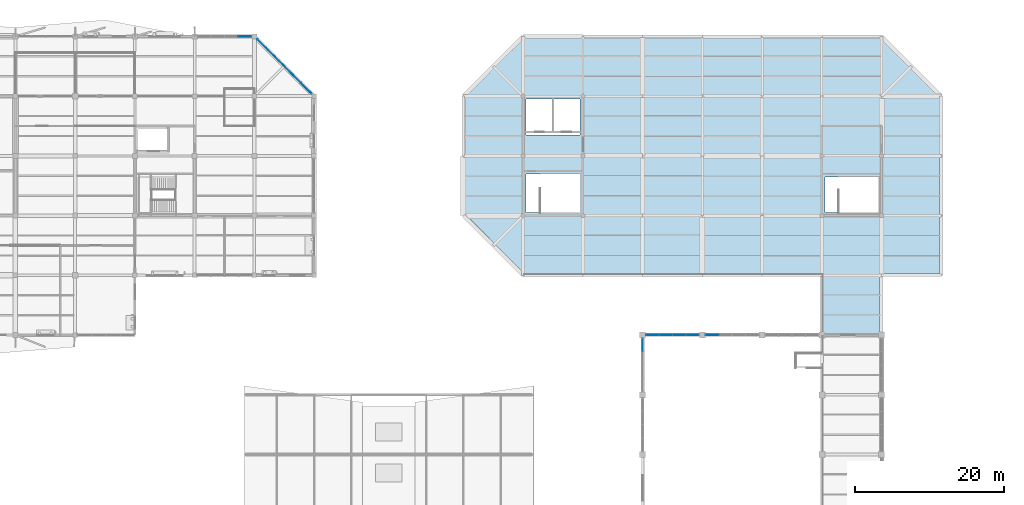
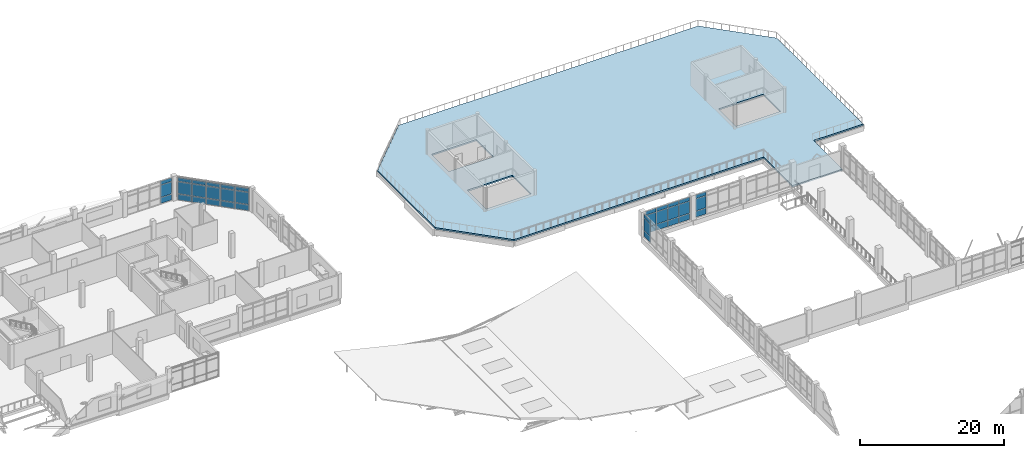
# One storey, part 66 of 84: 36 plates, 1 slab, 5 elements without a shape of their own.
"""IFC4 building model written with IfcOpenShell, lengths in metres."""

from ifc_helpers import new_model, si_unit, direction, frame, origin, origin_2d, place, context, subcontext, project, spatial, polyline, rectangle, outline, extrude, material, layer, layer_set, type_object, element, aggregate, save


model = new_model("IFC4")

# Units and contexts
model_context = context("Model", 3, precision=1e-05, world=origin(), true_north=direction((0.0, 1.0)))
body_context = subcontext(model_context, "Body", "Model", "MODEL_VIEW")
ifc_project = project(units=[si_unit("LENGTHUNIT", "METRE"), si_unit("AREAUNIT", "SQUARE_METRE"), si_unit("VOLUMEUNIT", "CUBIC_METRE"), si_unit("PLANEANGLEUNIT", "RADIAN"), si_unit("MASSUNIT", "GRAM", prefix="KILO")], contexts=[model_context])

# Site, building, storey
site_placement = place(None, origin())
site = spatial("IfcSite", under=ifc_project, at=site_placement, CompositionType="ELEMENT")
building_placement = place(site_placement, origin())
building = spatial("IfcBuilding", under=site, at=building_placement, Name="Tenunan Teduh Sports Hall", CompositionType="ELEMENT")
storey_placement = place(building_placement, frame((0.0, 0.0, 10.800048828125)))
storey = spatial("IfcBuildingStorey", under=building, at=storey_placement, Name="L02", CompositionType="ELEMENT", Elevation=10.800048828125)

# Curtain wall, plates
ifc_material_1 = material(Name="Anodised aluminium", Category="aluminium")
curtain_wall_type = type_object("IfcCurtainWallType", Name="CW-UNIT-2", PredefinedType="NOTDEFINED", material=ifc_material_1)
curtain_wall_1_placement = place(storey_placement, origin())
curtain_wall_1 = element("IfcCurtainWall", 1, at=curtain_wall_1_placement, inside=storey, type_object=curtain_wall_type, Name="CW-CWM-200-L02-128", PredefinedType="NOTDEFINED")
ifc_material_2 = material(Name="Low-E laminated double glazing", Category="glass")
ifc_layer_1 = layer(ifc_material_2, 0.028076171875)
ifc_layer_set_1 = layer_set([ifc_layer_1], Name="Low-E laminated double glazing")
plate_type_1 = type_object("IfcPlateType", Name="CWP-GLZ-28", PredefinedType="CURTAIN_PANEL", material=ifc_layer_set_1)
plate_1_placement = place(storey_placement, frame((123.3173828125, 78.0, 1.134765625), z_axis=(0.0, 0.0, 1.0), x_axis=(1.0, 0.0, 0.0)))
plate_1 = element("IfcPlate", 2, at=plate_1_placement, type_object=plate_type_1, Name="CW-02 panel 1.2", PredefinedType="CURTAIN_PANEL", context=body_context, shape_type="SweptSolid", body=[
    extrude(rectangle(XDim=1.695068359375, YDim=0.028076171875, at=origin_2d()), origin(), (0.0, 0.0, 1.0), 2.030029296875),
])
plate_2_placement = place(storey_placement, frame((123.3173828125, 78.0, 3.23486328125), z_axis=(0.0, 0.0, 1.0), x_axis=(1.0, 0.0, 0.0)))
plate_2 = element("IfcPlate", 3, at=plate_2_placement, type_object=plate_type_1, Name="CW-02 panel 1.3", PredefinedType="CURTAIN_PANEL", context=body_context, shape_type="SweptSolid", body=[
    extrude(rectangle(XDim=1.695068359375, YDim=0.028076171875, at=origin_2d()), origin(), (0.0, 0.0, 1.0), 0.614990234375),
])
plate_3_placement = place(storey_placement, frame((125.10009765625, 78.0, 1.134765625), z_axis=(0.0, 0.0, 1.0), x_axis=(1.0, 0.0, 0.0)))
plate_3 = element("IfcPlate", 4, at=plate_3_placement, type_object=plate_type_1, Name="CW-02 panel 2.2", PredefinedType="CURTAIN_PANEL", context=body_context, shape_type="SweptSolid", body=[
    extrude(rectangle(XDim=1.72998046875, YDim=0.028076171875, at=origin_2d()), origin(), (0.0, 0.0, 1.0), 2.030029296875),
])
plate_4_placement = place(storey_placement, frame((125.10009765625, 78.0, 3.23486328125), z_axis=(0.0, 0.0, 1.0), x_axis=(1.0, 0.0, 0.0)))
plate_4 = element("IfcPlate", 5, at=plate_4_placement, type_object=plate_type_1, Name="CW-02 panel 2.3", PredefinedType="CURTAIN_PANEL", context=body_context, shape_type="SweptSolid", body=[
    extrude(rectangle(XDim=1.72998046875, YDim=0.028076171875, at=origin_2d()), origin(), (0.0, 0.0, 1.0), 0.614990234375),
])
plate_5_placement = place(storey_placement, frame((126.89990234375, 78.0, 1.134765625), z_axis=(0.0, 0.0, 1.0), x_axis=(1.0, 0.0, 0.0)))
plate_5 = element("IfcPlate", 6, at=plate_5_placement, type_object=plate_type_1, Name="CW-02 panel 3.2", PredefinedType="CURTAIN_PANEL", context=body_context, shape_type="SweptSolid", body=[
    extrude(rectangle(XDim=1.72998046875, YDim=0.028076171875, at=origin_2d()), origin(), (0.0, 0.0, 1.0), 2.030029296875),
])
plate_6_placement = place(storey_placement, frame((126.89990234375, 78.0, 3.23486328125), z_axis=(0.0, 0.0, 1.0), x_axis=(1.0, 0.0, 0.0)))
plate_6 = element("IfcPlate", 7, at=plate_6_placement, type_object=plate_type_1, Name="CW-02 panel 3.3", PredefinedType="CURTAIN_PANEL", context=body_context, shape_type="SweptSolid", body=[
    extrude(rectangle(XDim=1.72998046875, YDim=0.028076171875, at=origin_2d()), origin(), (0.0, 0.0, 1.0), 0.614990234375),
])
plate_7_placement = place(storey_placement, frame((128.6826171875, 78.0, 1.134765625), z_axis=(0.0, 0.0, 1.0), x_axis=(1.0, 0.0, 0.0)))
plate_7 = element("IfcPlate", 8, at=plate_7_placement, type_object=plate_type_1, Name="CW-02 panel 4.2", PredefinedType="CURTAIN_PANEL", context=body_context, shape_type="SweptSolid", body=[
    extrude(rectangle(XDim=1.695068359375, YDim=0.028076171875, at=origin_2d()), origin(), (0.0, 0.0, 1.0), 2.030029296875),
])
plate_8_placement = place(storey_placement, frame((128.6826171875, 78.0, 3.23486328125), z_axis=(0.0, 0.0, 1.0), x_axis=(1.0, 0.0, 0.0)))
plate_8 = element("IfcPlate", 9, at=plate_8_placement, type_object=plate_type_1, Name="CW-02 panel 4.3", PredefinedType="CURTAIN_PANEL", context=body_context, shape_type="SweptSolid", body=[
    extrude(rectangle(XDim=1.695068359375, YDim=0.028076171875, at=origin_2d()), origin(), (0.0, 0.0, 1.0), 0.614990234375),
])

curtain_wall_2_placement = place(storey_placement, origin())
curtain_wall_2 = element("IfcCurtainWall", 10, at=curtain_wall_2_placement, inside=storey, type_object=curtain_wall_type, Name="CW-CWM-200-L02-136", PredefinedType="NOTDEFINED")
plate_9_placement = place(storey_placement, frame((122.0, 76.6826171875, 1.134765625), z_axis=(0.0, 0.0, 1.0), x_axis=(0.0, 1.0, 0.0)))
plate_9 = element("IfcPlate", 11, at=plate_9_placement, type_object=plate_type_1, Name="CW-02 panel 4.2", PredefinedType="CURTAIN_PANEL", context=body_context, shape_type="SweptSolid", body=[
    extrude(rectangle(XDim=1.695068359375, YDim=0.028076171875, at=origin_2d()), origin(), (0.0, 0.0, 1.0), 2.030029296875),
])
plate_10_placement = place(storey_placement, frame((122.0, 76.6826171875, 3.23486328125), z_axis=(0.0, 0.0, 1.0), x_axis=(0.0, 1.0, 0.0)))
plate_10 = element("IfcPlate", 12, at=plate_10_placement, type_object=plate_type_1, Name="CW-02 panel 4.3", PredefinedType="CURTAIN_PANEL", context=body_context, shape_type="SweptSolid", body=[
    extrude(rectangle(XDim=1.695068359375, YDim=0.028076171875, at=origin_2d()), origin(), (0.0, 0.0, 1.0), 0.614990234375),
])

curtain_wall_3_placement = place(storey_placement, origin())
curtain_wall_3 = element("IfcCurtainWall", 13, at=curtain_wall_3_placement, inside=storey, type_object=curtain_wall_type, Name="CW-CWM-175-L02-214", PredefinedType="NOTDEFINED")
plate_11_placement = place(storey_placement, frame((76.941650390625, 111.058349609375, 1.13232421875), z_axis=(0.0, 0.0, 1.0), x_axis=(-0.707106781187, 0.707106781187, 0.0)))
plate_11 = element("IfcPlate", 14, at=plate_11_placement, type_object=plate_type_1, Name="CW-02 panel 1.2", PredefinedType="CURTAIN_PANEL", context=body_context, shape_type="SweptSolid", body=[
    extrude(rectangle(XDim=1.97216796875, YDim=0.028076171875, at=origin_2d()), origin(), (0.0, 0.0, 1.0), 2.034912109375),
])
plate_12_placement = place(storey_placement, frame((76.941650390625, 111.058349609375, 3.232421875), z_axis=(0.0, 0.0, 1.0), x_axis=(-0.707106781187, 0.707106781187, 0.0)))
plate_12 = element("IfcPlate", 15, at=plate_12_placement, type_object=plate_type_1, Name="CW-02 panel 1.3", PredefinedType="CURTAIN_PANEL", context=body_context, shape_type="SweptSolid", body=[
    extrude(rectangle(XDim=1.97216796875, YDim=0.028076171875, at=origin_2d()), origin(), (0.0, 0.0, 1.0), 0.62255859375),
])
plate_13_placement = place(storey_placement, frame((75.48974609375, 112.51025390625, 1.13232421875), z_axis=(0.0, 0.0, 1.0), x_axis=(-0.707106781187, 0.707106781187, 0.0)))
plate_13 = element("IfcPlate", 16, at=plate_13_placement, type_object=plate_type_1, Name="CW-02 panel 2.2", PredefinedType="CURTAIN_PANEL", context=body_context, shape_type="SweptSolid", body=[
    extrude(rectangle(XDim=2.004638671875, YDim=0.028076171875, at=origin_2d()), origin(), (0.0, 0.0, 1.0), 2.034912109375),
])
plate_14_placement = place(storey_placement, frame((75.48974609375, 112.51025390625, 3.232421875), z_axis=(0.0, 0.0, 1.0), x_axis=(-0.707106781187, 0.707106781187, 0.0)))
plate_14 = element("IfcPlate", 17, at=plate_14_placement, type_object=plate_type_1, Name="CW-02 panel 2.3", PredefinedType="CURTAIN_PANEL", context=body_context, shape_type="SweptSolid", body=[
    extrude(rectangle(XDim=2.004638671875, YDim=0.028076171875, at=origin_2d()), origin(), (0.0, 0.0, 1.0), 0.62255859375),
])
plate_15_placement = place(storey_placement, frame((74.0263671875, 113.9736328125, 1.13232421875), z_axis=(0.0, 0.0, 1.0), x_axis=(-0.707106781187, 0.707106781187, 0.0)))
plate_15 = element("IfcPlate", 18, at=plate_15_placement, type_object=plate_type_1, Name="CW-02 panel 3.2", PredefinedType="CURTAIN_PANEL", context=body_context, shape_type="SweptSolid", body=[
    extrude(rectangle(XDim=2.004638671875, YDim=0.028076171875, at=origin_2d()), origin(), (0.0, 0.0, 1.0), 2.034912109375),
])
plate_16_placement = place(storey_placement, frame((74.0263671875, 113.9736328125, 3.232421875), z_axis=(0.0, 0.0, 1.0), x_axis=(-0.707106781187, 0.707106781187, 0.0)))
plate_16 = element("IfcPlate", 19, at=plate_16_placement, type_object=plate_type_1, Name="CW-02 panel 3.3", PredefinedType="CURTAIN_PANEL", context=body_context, shape_type="SweptSolid", body=[
    extrude(rectangle(XDim=2.004638671875, YDim=0.028076171875, at=origin_2d()), origin(), (0.0, 0.0, 1.0), 0.62255859375),
])
plate_17_placement = place(storey_placement, frame((72.562744140625, 115.437255859375, 1.13232421875), z_axis=(0.0, 0.0, 1.0), x_axis=(-0.707106781187, 0.707106781187, 0.0)))
plate_17 = element("IfcPlate", 20, at=plate_17_placement, type_object=plate_type_1, Name="CW-02 panel 4.2", PredefinedType="CURTAIN_PANEL", context=body_context, shape_type="SweptSolid", body=[
    extrude(rectangle(XDim=2.004638671875, YDim=0.028076171875, at=origin_2d()), origin(), (0.0, 0.0, 1.0), 2.034912109375),
])
plate_18_placement = place(storey_placement, frame((72.562744140625, 115.437255859375, 3.232421875), z_axis=(0.0, 0.0, 1.0), x_axis=(-0.707106781187, 0.707106781187, 0.0)))
plate_18 = element("IfcPlate", 21, at=plate_18_placement, type_object=plate_type_1, Name="CW-02 panel 4.3", PredefinedType="CURTAIN_PANEL", context=body_context, shape_type="SweptSolid", body=[
    extrude(rectangle(XDim=2.004638671875, YDim=0.028076171875, at=origin_2d()), origin(), (0.0, 0.0, 1.0), 0.62255859375),
])
plate_19_placement = place(storey_placement, frame((71.11083984375, 116.88916015625, 1.13232421875), z_axis=(0.0, 0.0, 1.0), x_axis=(-0.707106781187, 0.707106781187, 0.0)))
plate_19 = element("IfcPlate", 22, at=plate_19_placement, type_object=plate_type_1, Name="CW-02 panel 5.2", PredefinedType="CURTAIN_PANEL", context=body_context, shape_type="SweptSolid", body=[
    extrude(rectangle(XDim=1.97216796875, YDim=0.028076171875, at=origin_2d()), origin(), (0.0, 0.0, 1.0), 2.034912109375),
])
plate_20_placement = place(storey_placement, frame((71.11083984375, 116.88916015625, 3.232421875), z_axis=(0.0, 0.0, 1.0), x_axis=(-0.707106781187, 0.707106781187, 0.0)))
plate_20 = element("IfcPlate", 23, at=plate_20_placement, type_object=plate_type_1, Name="CW-02 panel 5.3", PredefinedType="CURTAIN_PANEL", context=body_context, shape_type="SweptSolid", body=[
    extrude(rectangle(XDim=1.97216796875, YDim=0.028076171875, at=origin_2d()), origin(), (0.0, 0.0, 1.0), 0.62255859375),
])

curtain_wall_4_placement = place(storey_placement, origin())
curtain_wall_4 = element("IfcCurtainWall", 24, at=curtain_wall_4_placement, inside=storey, type_object=curtain_wall_type, Name="CW-CWM-220-L02-129", PredefinedType="NOTDEFINED")
ifc_material_3 = material(Name="Solar-control laminated glazing", Category="glass")
ifc_layer_2 = layer(ifc_material_3, 0.031982421875)
ifc_layer_set_2 = layer_set([ifc_layer_2], Name="Solar-control laminated glazing")
plate_type_2 = type_object("IfcPlateType", Name="CWP-GLZ-32", PredefinedType="CURTAIN_PANEL", material=ifc_layer_set_2)
plate_21_placement = place(storey_placement, frame((131.31884765625, 78.0, 1.137451171875), z_axis=(0.0, 0.0, 1.0), x_axis=(1.0, 0.0, 0.0)))
plate_21 = element("IfcPlate", 25, at=plate_21_placement, type_object=plate_type_2, Name="CW-02 panel 1.2", PredefinedType="CURTAIN_PANEL", context=body_context, shape_type="SweptSolid", body=[
    extrude(rectangle(XDim=1.6875, YDim=0.031982421875, at=origin_2d()), origin(), (0.0, 0.0, 1.0), 2.02490234375),
])
plate_22_placement = place(storey_placement, frame((131.31884765625, 78.0, 3.237548828125), z_axis=(0.0, 0.0, 1.0), x_axis=(1.0, 0.0, 0.0)))
plate_22 = element("IfcPlate", 26, at=plate_22_placement, type_object=plate_type_2, Name="CW-02 panel 1.3", PredefinedType="CURTAIN_PANEL", context=body_context, shape_type="SweptSolid", body=[
    extrude(rectangle(XDim=1.6875, YDim=0.031982421875, at=origin_2d()), origin(), (0.0, 0.0, 1.0), 0.607421875),
])

curtain_wall_5_placement = place(storey_placement, origin())
curtain_wall_5 = element("IfcCurtainWall", 27, at=curtain_wall_5_placement, inside=storey, type_object=curtain_wall_type, Name="CW-CWM-220-L02-217", PredefinedType="NOTDEFINED")
plate_23_placement = place(storey_placement, frame((68.71875, 118.0, 1.137451171875), z_axis=(0.0, 0.0, 1.0), x_axis=(1.0, 0.0, 0.0)))
plate_23 = element("IfcPlate", 28, at=plate_23_placement, type_object=plate_type_2, Name="CW-02 panel 4.2", PredefinedType="CURTAIN_PANEL", context=body_context, shape_type="SweptSolid", body=[
    extrude(rectangle(XDim=1.71240234375, YDim=0.031982421875, at=origin_2d()), origin(), (0.0, 0.0, 1.0), 2.02490234375),
])
plate_24_placement = place(storey_placement, frame((68.71875, 118.0, 3.237548828125), z_axis=(0.0, 0.0, 1.0), x_axis=(1.0, 0.0, 0.0)))
plate_24 = element("IfcPlate", 29, at=plate_24_placement, type_object=plate_type_2, Name="CW-02 panel 4.3", PredefinedType="CURTAIN_PANEL", context=body_context, shape_type="SweptSolid", body=[
    extrude(rectangle(XDim=1.71240234375, YDim=0.031982421875, at=origin_2d()), origin(), (0.0, 0.0, 1.0), 0.607421875),
])

# Plate
ifc_material_4 = material(Name="Insulated aluminium spandrel panel", Category="aluminium")
ifc_layer_3 = layer(ifc_material_4, 0.044921875)
ifc_layer_set_3 = layer_set([ifc_layer_3], Name="Insulated aluminium spandrel panel")
plate_type_3 = type_object("IfcPlateType", Name="CWP-SPN-45", PredefinedType="CURTAIN_PANEL", material=ifc_layer_set_3)
plate_25_placement = place(storey_placement, frame((123.3173828125, 78.0, 0.06982421875), z_axis=(0.0, 0.0, 1.0), x_axis=(1.0, 0.0, 0.0)))
plate_25 = element("IfcPlate", 30, at=plate_25_placement, type_object=plate_type_3, Name="CW-02 panel 1.1", PredefinedType="CURTAIN_PANEL", context=body_context, shape_type="SweptSolid", body=[
    extrude(rectangle(XDim=1.695068359375, YDim=0.028076171875, at=origin_2d()), origin(), (0.0, 0.0, 1.0), 0.9951171875),
])

plate_26_placement = place(storey_placement, frame((125.10009765625, 78.0, 0.06982421875), z_axis=(0.0, 0.0, 1.0), x_axis=(1.0, 0.0, 0.0)))
plate_26 = element("IfcPlate", 31, at=plate_26_placement, type_object=plate_type_3, Name="CW-02 panel 2.1", PredefinedType="CURTAIN_PANEL", context=body_context, shape_type="SweptSolid", body=[
    extrude(rectangle(XDim=1.72998046875, YDim=0.028076171875, at=origin_2d()), origin(), (0.0, 0.0, 1.0), 0.9951171875),
])

plate_27_placement = place(storey_placement, frame((126.89990234375, 78.0, 0.06982421875), z_axis=(0.0, 0.0, 1.0), x_axis=(1.0, 0.0, 0.0)))
plate_27 = element("IfcPlate", 32, at=plate_27_placement, type_object=plate_type_3, Name="CW-02 panel 3.1", PredefinedType="CURTAIN_PANEL", context=body_context, shape_type="SweptSolid", body=[
    extrude(rectangle(XDim=1.72998046875, YDim=0.028076171875, at=origin_2d()), origin(), (0.0, 0.0, 1.0), 0.9951171875),
])

plate_28_placement = place(storey_placement, frame((128.6826171875, 78.0, 0.06982421875), z_axis=(0.0, 0.0, 1.0), x_axis=(1.0, 0.0, 0.0)))
plate_28 = element("IfcPlate", 33, at=plate_28_placement, type_object=plate_type_3, Name="CW-02 panel 4.1", PredefinedType="CURTAIN_PANEL", context=body_context, shape_type="SweptSolid", body=[
    extrude(rectangle(XDim=1.695068359375, YDim=0.028076171875, at=origin_2d()), origin(), (0.0, 0.0, 1.0), 0.9951171875),
])

aggregate(curtain_wall_1, [plate_25, plate_1, plate_2, plate_26, plate_3, plate_4, plate_27, plate_5, plate_6, plate_28, plate_7, plate_8])

plate_29_placement = place(storey_placement, frame((131.31884765625, 78.0, 0.07470703125), z_axis=(0.0, 0.0, 1.0), x_axis=(1.0, 0.0, 0.0)))
plate_29 = element("IfcPlate", 34, at=plate_29_placement, type_object=plate_type_3, Name="CW-02 panel 1.1", PredefinedType="CURTAIN_PANEL", context=body_context, shape_type="SweptSolid", body=[
    extrude(rectangle(XDim=1.6875, YDim=0.031982421875, at=origin_2d()), origin(), (0.0, 0.0, 1.0), 0.987548828125),
])

aggregate(curtain_wall_4, [plate_29, plate_21, plate_22])

plate_30_placement = place(storey_placement, frame((122.0, 76.6826171875, 0.06982421875), z_axis=(0.0, 0.0, 1.0), x_axis=(0.0, 1.0, 0.0)))
plate_30 = element("IfcPlate", 35, at=plate_30_placement, type_object=plate_type_3, Name="CW-02 panel 4.1", PredefinedType="CURTAIN_PANEL", context=body_context, shape_type="SweptSolid", body=[
    extrude(rectangle(XDim=1.695068359375, YDim=0.028076171875, at=origin_2d()), origin(), (0.0, 0.0, 1.0), 0.9951171875),
])

aggregate(curtain_wall_2, [plate_30, plate_9, plate_10])

plate_31_placement = place(storey_placement, frame((76.941650390625, 111.058349609375, 0.06494140625), z_axis=(0.0, 0.0, 1.0), x_axis=(-0.707106781187, 0.707106781187, 0.0)))
plate_31 = element("IfcPlate", 36, at=plate_31_placement, type_object=plate_type_3, Name="CW-02 panel 1.1", PredefinedType="CURTAIN_PANEL", context=body_context, shape_type="SweptSolid", body=[
    extrude(rectangle(XDim=1.97216796875, YDim=0.028076171875, at=origin_2d()), origin(), (0.0, 0.0, 1.0), 1.00244140625),
])

plate_32_placement = place(storey_placement, frame((75.48974609375, 112.51025390625, 0.06494140625), z_axis=(0.0, 0.0, 1.0), x_axis=(-0.707106781187, 0.707106781187, 0.0)))
plate_32 = element("IfcPlate", 37, at=plate_32_placement, type_object=plate_type_3, Name="CW-02 panel 2.1", PredefinedType="CURTAIN_PANEL", context=body_context, shape_type="SweptSolid", body=[
    extrude(rectangle(XDim=2.004638671875, YDim=0.028076171875, at=origin_2d()), origin(), (0.0, 0.0, 1.0), 1.00244140625),
])

plate_33_placement = place(storey_placement, frame((74.0263671875, 113.9736328125, 0.06494140625), z_axis=(0.0, 0.0, 1.0), x_axis=(-0.707106781187, 0.707106781187, 0.0)))
plate_33 = element("IfcPlate", 38, at=plate_33_placement, type_object=plate_type_3, Name="CW-02 panel 3.1", PredefinedType="CURTAIN_PANEL", context=body_context, shape_type="SweptSolid", body=[
    extrude(rectangle(XDim=2.004638671875, YDim=0.028076171875, at=origin_2d()), origin(), (0.0, 0.0, 1.0), 1.00244140625),
])

plate_34_placement = place(storey_placement, frame((72.562744140625, 115.437255859375, 0.06494140625), z_axis=(0.0, 0.0, 1.0), x_axis=(-0.707106781187, 0.707106781187, 0.0)))
plate_34 = element("IfcPlate", 39, at=plate_34_placement, type_object=plate_type_3, Name="CW-02 panel 4.1", PredefinedType="CURTAIN_PANEL", context=body_context, shape_type="SweptSolid", body=[
    extrude(rectangle(XDim=2.004638671875, YDim=0.028076171875, at=origin_2d()), origin(), (0.0, 0.0, 1.0), 1.00244140625),
])

plate_35_placement = place(storey_placement, frame((71.11083984375, 116.88916015625, 0.06494140625), z_axis=(0.0, 0.0, 1.0), x_axis=(-0.707106781187, 0.707106781187, 0.0)))
plate_35 = element("IfcPlate", 40, at=plate_35_placement, type_object=plate_type_3, Name="CW-02 panel 5.1", PredefinedType="CURTAIN_PANEL", context=body_context, shape_type="SweptSolid", body=[
    extrude(rectangle(XDim=1.97216796875, YDim=0.028076171875, at=origin_2d()), origin(), (0.0, 0.0, 1.0), 1.00244140625),
])

aggregate(curtain_wall_3, [plate_31, plate_11, plate_12, plate_32, plate_13, plate_14, plate_33, plate_15, plate_16, plate_34, plate_17, plate_18, plate_35, plate_19, plate_20])

plate_36_placement = place(storey_placement, frame((68.71875, 118.0, 0.07470703125), z_axis=(0.0, 0.0, 1.0), x_axis=(1.0, 0.0, 0.0)))
plate_36 = element("IfcPlate", 41, at=plate_36_placement, type_object=plate_type_3, Name="CW-02 panel 4.1", PredefinedType="CURTAIN_PANEL", context=body_context, shape_type="SweptSolid", body=[
    extrude(rectangle(XDim=1.71240234375, YDim=0.031982421875, at=origin_2d()), origin(), (0.0, 0.0, 1.0), 0.987548828125),
])

aggregate(curtain_wall_5, [plate_36, plate_23, plate_24])

# Slab
ifc_material_5 = material(Name="Concrete C40/50", Category="concrete")
ifc_layer_4 = layer(ifc_material_5, 0.260009765625)
ifc_layer_set_4 = layer_set([ifc_layer_4], Name="Concrete C40/50")
slab_type = type_object("IfcSlabType", Name="SLB-FLR-260", PredefinedType="FLOOR", material=ifc_layer_set_4)
slab_placement = place(storey_placement, frame((0.0, 0.0, -0.260009765625)))
element("IfcSlab", 42, at=slab_placement, inside=storey, type_object=slab_type, Name="SL-L02-V5E-ROOF", PredefinedType="FLOOR", context=body_context, shape_type="SweptSolid", body=[
    extrude(outline(polyline([(106.0, 86.0), (146.0, 86.0), (146.0, 78.0), (154.0, 78.0), (154.0, 86.0), (162.0, 86.0), (162.0, 110.0), (154.0, 118.0), (106.0, 118.0), (98.0, 110.0), (98.0, 94.0), (106.0, 86.0)]), holes=[polyline([(106.39990234375, 94.39990234375), (113.60009765625, 94.39990234375), (113.60009765625, 99.60009765625), (106.39990234375, 99.60009765625), (106.39990234375, 94.39990234375)]), polyline([(106.39990234375, 104.800048828125), (113.60009765625, 104.800048828125), (113.60009765625, 109.60009765625), (106.39990234375, 109.60009765625), (106.39990234375, 104.800048828125)]), polyline([(146.39990234375, 94.39990234375), (153.60009765625, 94.39990234375), (153.60009765625, 99.199951171875), (146.39990234375, 99.199951171875), (146.39990234375, 94.39990234375)])]), origin(), (0.0, 0.0, 1.0), 0.260009765625),
])

save(model, "model.ifc")
